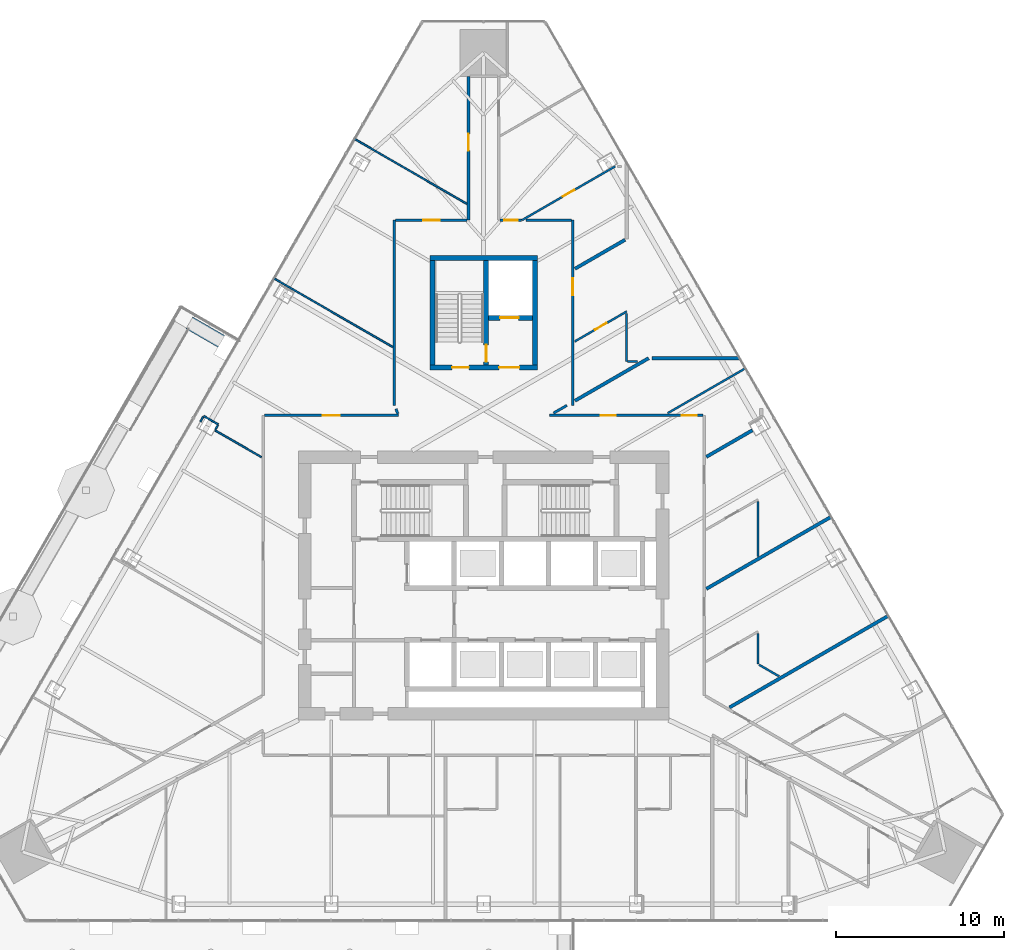
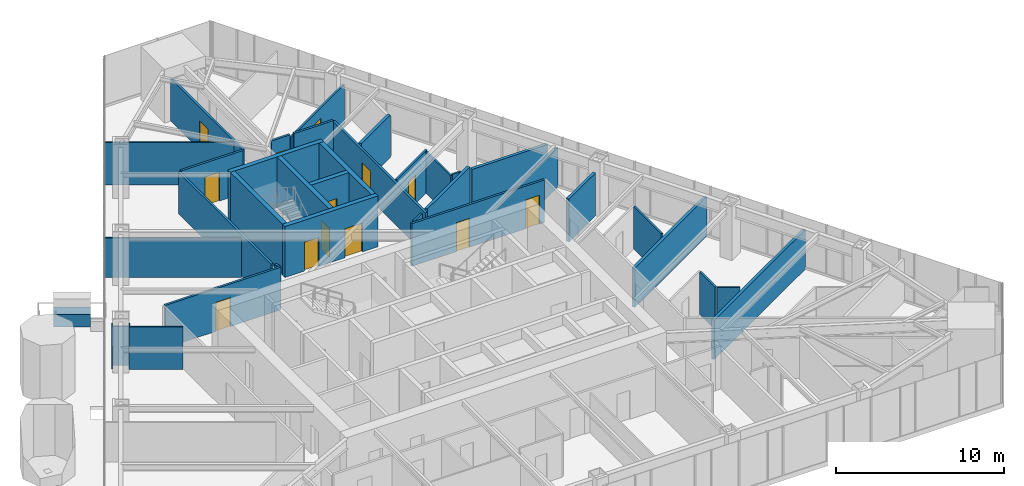
# One storey, part 28 of 32: 37 walls, 13 doors, 13 openings.
"""IFC4 building model written with IfcOpenShell, lengths in metres."""

from ifc_helpers import new_model, si_unit, direction, frame, frame_2d, origin, place, context, subcontext, project, spatial, rectangle, extrude, material, layer, layer_set, type_object, element, fill, save


model = new_model("IFC4")

# Units and contexts
model_context = context("Model", 3, precision=1e-05, world=origin(), true_north=direction((0.0, 1.0)))
body_context = subcontext(model_context, "Body", "Model", "MODEL_VIEW")
ifc_project = project(units=[si_unit("LENGTHUNIT", "METRE"), si_unit("AREAUNIT", "SQUARE_METRE"), si_unit("VOLUMEUNIT", "CUBIC_METRE"), si_unit("PLANEANGLEUNIT", "RADIAN"), si_unit("MASSUNIT", "GRAM", prefix="KILO")], contexts=[model_context])

# Site, building, storey
site_placement = place(None, origin())
site = spatial("IfcSite", under=ifc_project, at=site_placement, CompositionType="ELEMENT")
building_placement = place(site_placement, origin())
building = spatial("IfcBuilding", under=site, at=building_placement, Name="Firuza Gate Tower and Library", CompositionType="ELEMENT")
storey_placement = place(building_placement, frame((0.0, 0.0, 163.60009765625)))
storey = spatial("IfcBuildingStorey", under=building, at=storey_placement, Name="L37", CompositionType="ELEMENT", Elevation=163.60009765625)

# Wall, openings, doors
ifc_material_1 = material(Name="Concrete C80/95", Category="concrete")
ifc_layer_1 = layer(ifc_material_1, 0.300048828125)
ifc_layer_set_1 = layer_set([ifc_layer_1], Name="Core wall 300 C80/95")
wall_type_1 = type_object("IfcWallType", Name="Core wall 300 C80/95", PredefinedType="SHEAR", material=ifc_layer_set_1)
wall_1_placement = place(storey_placement, frame((71.800048828125, 87.949951171875, 0.0), z_axis=(0.0, 0.0, 1.0), x_axis=(1.0, 0.0, 0.0)))
wall_1 = element("IfcWall", 1, at=wall_1_placement, inside=storey, type_object=wall_type_1, Name="Core wall L37 27", PredefinedType="SHEAR", context=body_context, shape_type="SweptSolid", body=[
    extrude(rectangle(XDim=6.39990234375, YDim=0.300048828125, at=frame_2d((3.199951171875, 0.0))), origin(), (0.0, 0.0, 1.0), 3.699951171875),
])
opening_1_placement = place(wall_1_placement, frame((1.324951171875, 0.0, 0.0)))
opening_1 = element("IfcOpeningElement", 2, at=opening_1_placement, cuts=wall_1, Name="Opening L37-K15", PredefinedType="OPENING", context=body_context, shape_type="SweptSolid", body=[
    extrude(rectangle(XDim=1.0, YDim=2.10009765625, at=frame_2d((0.5, 1.050048828125))), frame((0.0, 0.16015625, 0.0), z_axis=(0.0, -1.0, 0.0), x_axis=(1.0, 0.0, 0.0)), (0.0, 0.0, 1.0), 0.320068359375),
])
opening_2_placement = place(wall_1_placement, frame((4.125, 0.0, 0.0)))
opening_2 = element("IfcOpeningElement", 3, at=opening_2_placement, cuts=wall_1, Name="Opening L37-K17", PredefinedType="OPENING", context=body_context, shape_type="SweptSolid", body=[
    extrude(rectangle(XDim=1.199951171875, YDim=2.10009765625, at=frame_2d((0.60009765625, 1.050048828125))), frame((0.0, 0.16015625, 0.0), z_axis=(0.0, -1.0, 0.0), x_axis=(1.0, 0.0, 0.0)), (0.0, 0.0, 1.0), 0.320068359375),
])
ifc_material_2 = material(Name="Steel", Category="steel")
door_type_1 = type_object("IfcDoorType", Name="Fire door 1000x2100 FD90", OperationType="NOTDEFINED", PredefinedType="DOOR", material=ifc_material_2)
door_1_placement = place(opening_1_placement, origin())
door_1 = element("IfcDoor", 4, at=door_1_placement, inside=storey, type_object=door_type_1, Name="Door L37-K15", OperationType="SINGLE_SWING_RIGHT", OverallHeight=2.10009765625, OverallWidth=1.0, PredefinedType="DOOR", context=body_context, shape_type="SweptSolid", body=[
    extrude(rectangle(XDim=1.0, YDim=2.10009765625, at=frame_2d((0.5, 1.050048828125))), frame((0.0, 0.02490234375, 0.0), z_axis=(0.0, -1.0, 0.0), x_axis=(1.0, 0.0, 0.0)), (0.0, 0.0, 1.0), 0.050048828125),
])
fill(opening_1, door_1)
ifc_material_3 = material(Name="Steel", Category="steel")
door_type_2 = type_object("IfcDoorType", Name="Fire door 1200x2100 FD30S", OperationType="NOTDEFINED", PredefinedType="DOOR", material=ifc_material_3)
door_2_placement = place(opening_2_placement, origin())
door_2 = element("IfcDoor", 5, at=door_2_placement, inside=storey, type_object=door_type_2, Name="Door L37-K17", OperationType="SINGLE_SWING_RIGHT", OverallHeight=2.10009765625, OverallWidth=1.199951171875, PredefinedType="DOOR", context=body_context, shape_type="SweptSolid", body=[
    extrude(rectangle(XDim=1.199951171875, YDim=2.10009765625, at=frame_2d((0.60009765625, 1.050048828125))), frame((0.0, 0.02490234375, 0.0), z_axis=(0.0, -1.0, 0.0), x_axis=(1.0, 0.0, 0.0)), (0.0, 0.0, 1.0), 0.050048828125),
])
fill(opening_2, door_2)

# Walls
wall_2_placement = place(storey_placement, frame((71.800048828125, 94.449951171875, 0.0), z_axis=(0.0, 0.0, 1.0), x_axis=(1.0, 0.0, 0.0)))
element("IfcWall", 6, at=wall_2_placement, inside=storey, type_object=wall_type_1, Name="Core wall L37 28", PredefinedType="SHEAR", context=body_context, shape_type="SweptSolid", body=[
    extrude(rectangle(XDim=6.39990234375, YDim=0.300048828125, at=frame_2d((3.199951171875, 0.0))), origin(), (0.0, 0.0, 1.0), 3.699951171875),
])
for number, where, z_axis, x_axis, name in (
    (7, (71.949951171875, 88.10009765625, 0.0), (0.0, 0.0, 1.0), (0.0, 1.0, 0.0), "Core wall L37 29"),
    (8, (78.050048828125, 88.10009765625, 0.0), (0.0, 0.0, 1.0), (0.0, 1.0, 0.0), "Core wall L37 30"),
):
    element("IfcWall", number, at=place(storey_placement, frame(where, z_axis=z_axis, x_axis=x_axis)), inside=storey, type_object=wall_type_1, Name=name, PredefinedType="SHEAR", context=body_context, shape_type="SweptSolid", body=[
        extrude(rectangle(XDim=6.199951171875, YDim=0.300048828125, at=frame_2d((3.10009765625, 0.0))), origin(), (0.0, 0.0, 1.0), 3.699951171875),
    ])

# Wall, opening, door
wall_3_placement = place(storey_placement, frame((75.300048828125, 90.89990234375, 0.0), z_axis=(0.0, 0.0, 1.0), x_axis=(1.0, 0.0, 0.0)))
wall_3 = element("IfcWall", 9, at=wall_3_placement, inside=storey, type_object=wall_type_1, Name="Core wall L37 31", PredefinedType="SHEAR", context=body_context, shape_type="SweptSolid", body=[
    extrude(rectangle(XDim=2.599853515625, YDim=0.300048828125, at=frame_2d((1.2998046875, 0.0))), origin(), (0.0, 0.0, 1.0), 3.699951171875),
])
opening_3_placement = place(wall_3_placement, frame((0.675048828125, 0.0, 0.0)))
opening_3 = element("IfcOpeningElement", 10, at=opening_3_placement, cuts=wall_3, Name="Opening LD-SV1-L37", PredefinedType="OPENING", context=body_context, shape_type="SweptSolid", body=[
    extrude(rectangle(XDim=1.10009765625, YDim=2.10009765625, at=frame_2d((0.550048828125, 1.050048828125))), frame((0.0, 0.16015625, 0.0), z_axis=(0.0, -1.0, 0.0), x_axis=(1.0, 0.0, 0.0)), (0.0, 0.0, 1.0), 0.320068359375),
])
ifc_material_4 = material(Name="Stainless steel", Category="steel")
door_type_3 = type_object("IfcDoorType", Name="Lift landing door 1100x2100", OperationType="DOUBLE_DOOR_SLIDING", PredefinedType="DOOR", material=ifc_material_4)
door_3_placement = place(opening_3_placement, origin())
door_3 = element("IfcDoor", 11, at=door_3_placement, inside=storey, type_object=door_type_3, Name="Landing door SV1 L37", OperationType="DOUBLE_DOOR_SLIDING", OverallHeight=2.10009765625, OverallWidth=1.10009765625, PredefinedType="DOOR", context=body_context, shape_type="SweptSolid", body=[
    extrude(rectangle(XDim=1.10009765625, YDim=2.10009765625, at=frame_2d((0.550048828125, 1.050048828125))), frame((0.0, 0.02490234375, 0.0), z_axis=(0.0, -1.0, 0.0), x_axis=(1.0, 0.0, 0.0)), (0.0, 0.0, 1.0), 0.050048828125),
])
fill(opening_3, door_3)

wall_4_placement = place(storey_placement, frame((75.14990234375, 88.10009765625, 0.0), z_axis=(0.0, 0.0, 1.0), x_axis=(0.0, 1.0, 0.0)))
wall_4 = element("IfcWall", 12, at=wall_4_placement, inside=storey, type_object=wall_type_1, Name="Core wall L37 32", PredefinedType="SHEAR", context=body_context, shape_type="SweptSolid", body=[
    extrude(rectangle(XDim=6.199951171875, YDim=0.300048828125, at=frame_2d((3.10009765625, 0.0))), origin(), (0.0, 0.0, 1.0), 3.699951171875),
])
opening_4_placement = place(wall_4_placement, frame((0.18505859375, 0.0, 0.0)))
opening_4 = element("IfcOpeningElement", 13, at=opening_4_placement, cuts=wall_4, Name="Opening L37-K16", PredefinedType="OPENING", context=body_context, shape_type="SweptSolid", body=[
    extrude(rectangle(XDim=1.0, YDim=2.10009765625, at=frame_2d((0.5, 1.050048828125))), frame((0.0, 0.16015625, 0.0), z_axis=(0.0, -1.0, 0.0), x_axis=(1.0, 0.0, 0.0)), (0.0, 0.0, 1.0), 0.320068359375),
])
door_4_placement = place(opening_4_placement, origin())
door_4 = element("IfcDoor", 14, at=door_4_placement, inside=storey, type_object=door_type_1, Name="Door L37-K16", OperationType="SINGLE_SWING_LEFT", OverallHeight=2.10009765625, OverallWidth=1.0, PredefinedType="DOOR", context=body_context, shape_type="SweptSolid", body=[
    extrude(rectangle(XDim=1.0, YDim=2.10009765625, at=frame_2d((0.5, 1.050048828125))), frame((0.0, 0.02490234375, 0.0), z_axis=(0.0, -1.0, 0.0), x_axis=(1.0, 0.0, 0.0)), (0.0, 0.0, 1.0), 0.050048828125),
])
fill(opening_4, door_4)

ifc_material_5 = material(Name="Gypsum board partition")
ifc_layer_2 = layer(ifc_material_5, 0.14990234375)
ifc_layer_set_2 = layer_set([ifc_layer_2], Name="Corridor wall 150 double board on steel studs")
wall_type_2 = type_object("IfcWallType", Name="Corridor wall 150 double board on steel studs", PredefinedType="PARTITIONING", material=ifc_layer_set_2)
wall_5_placement = place(storey_placement, frame((61.9755859375, 85.10009765625, 0.0), z_axis=(0.0, 0.0, 1.0), x_axis=(1.0, 0.0, 0.0)))
wall_5 = element("IfcWall", 15, at=wall_5_placement, inside=storey, type_object=wall_type_2, Name="f:L37:w009", PredefinedType="PARTITIONING", context=body_context, shape_type="SweptSolid", body=[
    extrude(rectangle(XDim=7.95849609375, YDim=0.14990234375, at=frame_2d((3.979248046875, 0.0))), origin(), (0.0, 0.0, 1.0), 3.099853515625),
])
opening_5_placement = place(wall_5_placement, frame((3.479248046875, 0.0, 0.0)))
opening_5 = element("IfcOpeningElement", 16, at=opening_5_placement, cuts=wall_5, Name="Opening L37-09", PredefinedType="OPENING", context=body_context, shape_type="SweptSolid", body=[
    extrude(rectangle(XDim=1.0, YDim=2.10009765625, at=frame_2d((0.5, 1.050048828125))), frame((0.0, 0.0849609375, 0.0), z_axis=(0.0, -1.0, 0.0), x_axis=(1.0, 0.0, 0.0)), (0.0, 0.0, 1.0), 0.169921875),
])
ifc_material_6 = material(Name="Steel door and timber leaf", Category="steel")
door_type_4 = type_object("IfcDoorType", Name="Fire door 1000 x 2100 steel frame, timber leaf", OperationType="NOTDEFINED", PredefinedType="DOOR", material=ifc_material_6)
door_5_placement = place(opening_5_placement, origin())
door_5 = element("IfcDoor", 17, at=door_5_placement, inside=storey, type_object=door_type_4, Name="f:L37:d009", OperationType="SINGLE_SWING_LEFT", OverallHeight=2.10009765625, OverallWidth=1.0, PredefinedType="DOOR", context=body_context, shape_type="SweptSolid", body=[
    extrude(rectangle(XDim=1.0, YDim=2.10009765625, at=frame_2d((0.5, 1.050048828125))), frame((0.0, 0.02490234375, 0.0), z_axis=(0.0, -1.0, 0.0), x_axis=(1.0, 0.0, 0.0)), (0.0, 0.0, 1.0), 0.050048828125),
])
fill(opening_5, door_5)

# Wall, openings, doors
wall_6_placement = place(storey_placement, frame((78.912841796875, 85.10009765625, 0.0), z_axis=(0.0, 0.0, 1.0), x_axis=(1.0, 0.0, 0.0)))
wall_6 = element("IfcWall", 18, at=wall_6_placement, inside=storey, type_object=wall_type_2, Name="f:L37:w010", PredefinedType="PARTITIONING", context=body_context, shape_type="SweptSolid", body=[
    extrude(rectangle(XDim=9.112060546875, YDim=0.14990234375, at=frame_2d((4.55615234375, 0.0))), origin(), (0.0, 0.0, 1.0), 3.099853515625),
])
opening_6_placement = place(wall_6_placement, frame((3.04833984375, 0.0, 0.0)))
opening_6 = element("IfcOpeningElement", 19, at=opening_6_placement, cuts=wall_6, Name="Opening L37-10", PredefinedType="OPENING", context=body_context, shape_type="SweptSolid", body=[
    extrude(rectangle(XDim=0.89990234375, YDim=2.10009765625, at=frame_2d((0.449951171875, 1.050048828125))), frame((0.0, 0.0849609375, 0.0), z_axis=(0.0, -1.0, 0.0), x_axis=(1.0, 0.0, 0.0)), (0.0, 0.0, 1.0), 0.169921875),
])
opening_7_placement = place(wall_6_placement, frame((7.849853515625, 0.0, 0.0)))
opening_7 = element("IfcOpeningElement", 20, at=opening_7_placement, cuts=wall_6, Name="Opening L37-11", PredefinedType="OPENING", context=body_context, shape_type="SweptSolid", body=[
    extrude(rectangle(XDim=0.89990234375, YDim=2.10009765625, at=frame_2d((0.449951171875, 1.050048828125))), frame((0.0, 0.0849609375, 0.0), z_axis=(0.0, -1.0, 0.0), x_axis=(1.0, 0.0, 0.0)), (0.0, 0.0, 1.0), 0.169921875),
])
ifc_material_7 = material(Name="Steel door and timber leaf", Category="steel")
door_type_5 = type_object("IfcDoorType", Name="Fire door 900 x 2100 steel frame, timber leaf", OperationType="NOTDEFINED", PredefinedType="DOOR", material=ifc_material_7)
door_6_placement = place(opening_6_placement, origin())
door_6 = element("IfcDoor", 21, at=door_6_placement, inside=storey, type_object=door_type_5, Name="f:L37:d010", OperationType="SINGLE_SWING_LEFT", OverallHeight=2.10009765625, OverallWidth=0.89990234375, PredefinedType="DOOR", context=body_context, shape_type="SweptSolid", body=[
    extrude(rectangle(XDim=0.89990234375, YDim=2.10009765625, at=frame_2d((0.449951171875, 1.050048828125))), frame((0.0, 0.02490234375, 0.0), z_axis=(0.0, -1.0, 0.0), x_axis=(1.0, 0.0, 0.0)), (0.0, 0.0, 1.0), 0.050048828125),
])
fill(opening_6, door_6)
door_7_placement = place(opening_7_placement, origin())
door_7 = element("IfcDoor", 22, at=door_7_placement, inside=storey, type_object=door_type_5, Name="f:L37:d011", OperationType="SINGLE_SWING_RIGHT", OverallHeight=2.10009765625, OverallWidth=0.89990234375, PredefinedType="DOOR", context=body_context, shape_type="SweptSolid", body=[
    extrude(rectangle(XDim=0.89990234375, YDim=2.10009765625, at=frame_2d((0.449951171875, 1.050048828125))), frame((0.0, 0.02490234375, 0.0), z_axis=(0.0, -1.0, 0.0), x_axis=(1.0, 0.0, 0.0)), (0.0, 0.0, 1.0), 0.050048828125),
])
fill(opening_7, door_7)

# Wall, opening, door
wall_7_placement = place(storey_placement, frame((74.02490234375, 96.699951171875, 0.0), z_axis=(0.0, 0.0, 1.0), x_axis=(-1.0, 0.0, 0.0)))
wall_7 = element("IfcWall", 23, at=wall_7_placement, inside=storey, type_object=wall_type_2, Name="f:L37:w013", PredefinedType="PARTITIONING", context=body_context, shape_type="SweptSolid", body=[
    extrude(rectangle(XDim=4.24951171875, YDim=0.14990234375, at=frame_2d((2.124755859375, 0.0))), origin(), (0.0, 0.0, 1.0), 3.099853515625),
])
opening_8_placement = place(wall_7_placement, frame((1.624755859375, 0.0, 0.0)))
opening_8 = element("IfcOpeningElement", 24, at=opening_8_placement, cuts=wall_7, Name="Opening L37-12", PredefinedType="OPENING", context=body_context, shape_type="SweptSolid", body=[
    extrude(rectangle(XDim=1.0, YDim=2.10009765625, at=frame_2d((0.5, 1.050048828125))), frame((0.0, 0.0849609375, 0.0), z_axis=(0.0, -1.0, 0.0), x_axis=(1.0, 0.0, 0.0)), (0.0, 0.0, 1.0), 0.169921875),
])
door_8_placement = place(opening_8_placement, origin())
door_8 = element("IfcDoor", 25, at=door_8_placement, inside=storey, type_object=door_type_4, Name="f:L37:d012", OperationType="SINGLE_SWING_LEFT", OverallHeight=2.10009765625, OverallWidth=1.0, PredefinedType="DOOR", context=body_context, shape_type="SweptSolid", body=[
    extrude(rectangle(XDim=1.0, YDim=2.10009765625, at=frame_2d((0.5, 1.050048828125))), frame((0.0, 0.02490234375, 0.0), z_axis=(0.0, -1.0, 0.0), x_axis=(1.0, 0.0, 0.0)), (0.0, 0.0, 1.0), 0.050048828125),
])
fill(opening_8, door_8)

wall_8_placement = place(storey_placement, frame((75.97509765625, 96.699951171875, 0.0), z_axis=(0.0, 0.0, 1.0), x_axis=(1.0, 0.0, 0.0)))
wall_8 = element("IfcWall", 26, at=wall_8_placement, inside=storey, type_object=wall_type_2, Name="f:L37:w014", PredefinedType="PARTITIONING", context=body_context, shape_type="SweptSolid", body=[
    extrude(rectangle(XDim=1.27001953125, YDim=0.14990234375, at=frame_2d((0.635009765625, 0.0))), origin(), (0.0, 0.0, 1.0), 3.099853515625),
])
opening_9_placement = place(wall_8_placement, frame((0.259521484375, 0.0, 0.0)))
opening_9 = element("IfcOpeningElement", 27, at=opening_9_placement, cuts=wall_8, Name="Opening L37-13", PredefinedType="OPENING", context=body_context, shape_type="SweptSolid", body=[
    extrude(rectangle(XDim=0.800048828125, YDim=2.10009765625, at=frame_2d((0.39990234375, 1.050048828125))), frame((0.0, 0.0849609375, 0.0), z_axis=(0.0, -1.0, 0.0), x_axis=(1.0, 0.0, 0.0)), (0.0, 0.0, 1.0), 0.169921875),
])
ifc_material_8 = material(Name="Timber door", Category="wood")
door_type_6 = type_object("IfcDoorType", Name="Door 800 x 2100 timber leaf", OperationType="NOTDEFINED", PredefinedType="DOOR", material=ifc_material_8)
door_9_placement = place(opening_9_placement, origin())
door_9 = element("IfcDoor", 28, at=door_9_placement, inside=storey, type_object=door_type_6, Name="f:L37:d013", OperationType="SINGLE_SWING_RIGHT", OverallHeight=2.10009765625, OverallWidth=0.800048828125, PredefinedType="DOOR", context=body_context, shape_type="SweptSolid", body=[
    extrude(rectangle(XDim=0.800048828125, YDim=2.10009765625, at=frame_2d((0.39990234375, 1.050048828125))), frame((0.0, 0.02490234375, 0.0), z_axis=(0.0, -1.0, 0.0), x_axis=(1.0, 0.0, 0.0)), (0.0, 0.0, 1.0), 0.050048828125),
])
fill(opening_9, door_9)

# Wall
wall_9_placement = place(storey_placement, frame((79.155517578125, 85.23974609375, 0.0), z_axis=(0.0, 0.0, 1.0), x_axis=(0.866013213425, 0.500021113727, 0.0)))
element("IfcWall", 29, at=wall_9_placement, inside=storey, type_object=wall_type_2, Name="f:L37:w030", PredefinedType="PARTITIONING", context=body_context, shape_type="SweptSolid", body=[
    extrude(rectangle(XDim=0.919921875, YDim=0.14990234375, at=frame_2d((0.4599609375, 0.0))), origin(), (0.0, 0.0, 1.0), 3.099853515625),
])

# Wall, opening, door
wall_10_placement = place(storey_placement, frame((80.300048828125, 96.699951171875, 0.0), z_axis=(0.0, 0.0, 1.0), x_axis=(0.0, -1.0, 0.0)))
wall_10 = element("IfcWall", 30, at=wall_10_placement, inside=storey, type_object=wall_type_2, Name="f:L37:w053", PredefinedType="PARTITIONING", context=body_context, shape_type="SweptSolid", body=[
    extrude(rectangle(XDim=11.0, YDim=0.14990234375, at=frame_2d((5.5, 0.0))), origin(), (0.0, 0.0, 1.0), 3.02197265625),
])
opening_10_placement = place(wall_10_placement, frame((3.452392578125, 0.0, 0.0)))
opening_10 = element("IfcOpeningElement", 31, at=opening_10_placement, cuts=wall_10, Name="Opening L37-27", PredefinedType="OPENING", context=body_context, shape_type="SweptSolid", body=[
    extrude(rectangle(XDim=1.0, YDim=2.10009765625, at=frame_2d((0.5, 1.050048828125))), frame((0.0, 0.0849609375, 0.0), z_axis=(0.0, -1.0, 0.0), x_axis=(1.0, 0.0, 0.0)), (0.0, 0.0, 1.0), 0.169921875),
])
door_10_placement = place(opening_10_placement, origin())
door_10 = element("IfcDoor", 32, at=door_10_placement, inside=storey, type_object=door_type_4, Name="f:L37:d027", OperationType="SINGLE_SWING_LEFT", OverallHeight=2.10009765625, OverallWidth=1.0, PredefinedType="DOOR", context=body_context, shape_type="SweptSolid", body=[
    extrude(rectangle(XDim=1.0, YDim=2.10009765625, at=frame_2d((0.5, 1.050048828125))), frame((0.0, 0.02490234375, 0.0), z_axis=(0.0, -1.0, 0.0), x_axis=(1.0, 0.0, 0.0)), (0.0, 0.0, 1.0), 0.050048828125),
])
fill(opening_10, door_10)

wall_11_placement = place(storey_placement, frame((74.10009765625, 96.699951171875, 0.0), z_axis=(0.0, 0.0, 1.0), x_axis=(0.0, 1.0, 0.0)))
wall_11 = element("IfcWall", 33, at=wall_11_placement, inside=storey, type_object=wall_type_2, Name="f:L37:w058", PredefinedType="PARTITIONING", context=body_context, shape_type="SweptSolid", body=[
    extrude(rectangle(XDim=8.5419921875, YDim=0.14990234375, at=frame_2d((4.27099609375, 0.0))), origin(), (0.0, 0.0, 1.0), 3.099853515625),
])
opening_11_placement = place(wall_11_placement, frame((4.126708984375, 0.0, 0.0)))
opening_11 = element("IfcOpeningElement", 34, at=opening_11_placement, cuts=wall_11, Name="Opening L37-29", PredefinedType="OPENING", context=body_context, shape_type="SweptSolid", body=[
    extrude(rectangle(XDim=1.0, YDim=2.10009765625, at=frame_2d((0.5, 1.050048828125))), frame((0.0, 0.0849609375, 0.0), z_axis=(0.0, -1.0, 0.0), x_axis=(1.0, 0.0, 0.0)), (0.0, 0.0, 1.0), 0.169921875),
])
door_11_placement = place(opening_11_placement, origin())
door_11 = element("IfcDoor", 35, at=door_11_placement, inside=storey, type_object=door_type_4, Name="f:L37:d029", OperationType="SINGLE_SWING_LEFT", OverallHeight=2.10009765625, OverallWidth=1.0, PredefinedType="DOOR", context=body_context, shape_type="SweptSolid", body=[
    extrude(rectangle(XDim=1.0, YDim=2.10009765625, at=frame_2d((0.5, 1.050048828125))), frame((0.0, 0.02490234375, 0.0), z_axis=(0.0, -1.0, 0.0), x_axis=(1.0, 0.0, 0.0)), (0.0, 0.0, 1.0), 0.050048828125),
])
fill(opening_11, door_11)

# Walls
wall_12_placement = place(storey_placement, frame((69.699951171875, 85.700439453125, 0.0), z_axis=(0.0, 0.0, 1.0), x_axis=(0.0, 1.0, 0.0)))
element("IfcWall", 36, at=wall_12_placement, inside=storey, type_object=wall_type_2, Name="f:L37:w060", PredefinedType="PARTITIONING", context=body_context, shape_type="SweptSolid", body=[
    extrude(rectangle(XDim=10.9990234375, YDim=0.14990234375, at=frame_2d((5.49951171875, 0.0))), origin(), (0.0, 0.0, 1.0), 3.02197265625),
])
wall_13_placement = place(storey_placement, frame((69.8994140625, 85.200439453125, 0.0), z_axis=(0.0, 0.0, 1.0), x_axis=(-0.33638665492, 0.941723960825, 0.0)))
element("IfcWall", 37, at=wall_13_placement, inside=storey, type_object=wall_type_2, Name="f:L37:w066", PredefinedType="PARTITIONING", context=body_context, shape_type="SweptSolid", body=[
    extrude(rectangle(XDim=0.3076171875, YDim=0.14990234375, at=frame_2d((0.15380859375, 0.0))), origin(), (0.0, 0.0, 1.0), 3.099853515625),
])
wall_14_placement = place(storey_placement, frame((77.525146484375, 96.699951171875, 0.0), z_axis=(0.0, 0.0, 1.0), x_axis=(1.0, 0.0, 0.0)))
element("IfcWall", 38, at=wall_14_placement, inside=storey, type_object=wall_type_2, Name="f:L37:w082", PredefinedType="PARTITIONING", context=body_context, shape_type="SweptSolid", body=[
    extrude(rectangle(XDim=2.699951171875, YDim=0.14990234375, at=frame_2d((1.35009765625, 0.0))), origin(), (0.0, 0.0, 1.0), 3.099853515625),
])
ifc_material_9 = material(Name="Gypsum board partition")
ifc_layer_3 = layer(ifc_material_9, 0.199951171875)
ifc_layer_set_3 = layer_set([ifc_layer_3], Name="Demising wall 200 acoustic double stud")
wall_type_3 = type_object("IfcWallType", Name="Demising wall 200 acoustic double stud", PredefinedType="PARTITIONING", material=ifc_layer_set_3)
wall_15_placement = place(storey_placement, frame((85.003662109375, 88.5, 0.0), z_axis=(0.0, 0.0, 1.0), x_axis=(1.0, 0.0, 0.0)))
element("IfcWall", 39, at=wall_15_placement, inside=storey, type_object=wall_type_3, Name="f:L37:w012", PredefinedType="PARTITIONING", context=body_context, shape_type="SweptSolid", body=[
    extrude(rectangle(XDim=5.179443359375, YDim=0.199951171875, at=frame_2d((2.58984375, 0.0))), origin(), (0.0, 0.0, 1.0), 2.864990234375),
])
wall_16_placement = place(storey_placement, frame((89.60791015625, 67.751953125, 0.0), z_axis=(0.0, 0.0, 1.0), x_axis=(0.86602628359, 0.499998476129, 0.0)))
element("IfcWall", 40, at=wall_16_placement, inside=storey, type_object=wall_type_3, Name="f:L37:w020", PredefinedType="PARTITIONING", context=body_context, shape_type="SweptSolid", body=[
    extrude(rectangle(XDim=10.8720703125, YDim=0.199951171875, at=frame_2d((5.43603515625, 0.0))), origin(), (0.0, 0.0, 1.0), 2.864990234375),
])
wall_17_placement = place(storey_placement, frame((88.227294921875, 74.795166015625, 0.0), z_axis=(0.0, 0.0, 1.0), x_axis=(0.866017652766, 0.500013424917, 0.0)))
element("IfcWall", 41, at=wall_17_placement, inside=storey, type_object=wall_type_3, Name="f:L37:w022", PredefinedType="PARTITIONING", context=body_context, shape_type="SweptSolid", body=[
    extrude(rectangle(XDim=8.546142578125, YDim=0.199951171875, at=frame_2d((4.27294921875, 0.0))), origin(), (0.0, 0.0, 1.0), 2.864990234375),
])
wall_18_placement = place(storey_placement, frame((88.226806640625, 82.63671875, 0.0), z_axis=(0.0, 0.0, 1.0), x_axis=(0.866046892487, 0.499962778628, 0.0)))
element("IfcWall", 42, at=wall_18_placement, inside=storey, type_object=wall_type_3, Name="f:L37:w025", PredefinedType="PARTITIONING", context=body_context, shape_type="SweptSolid", body=[
    extrude(rectangle(XDim=3.165771484375, YDim=0.199951171875, at=frame_2d((1.5830078125, 0.0))), origin(), (0.0, 0.0, 1.0), 3.099853515625),
])
wall_19_placement = place(storey_placement, frame((80.42724609375, 85.973876953125, 0.0), z_axis=(0.0, 0.0, 1.0), x_axis=(0.866031085144, 0.499990159468, 0.0)))
element("IfcWall", 43, at=wall_19_placement, inside=storey, type_object=wall_type_3, Name="f:L37:w031", PredefinedType="PARTITIONING", context=body_context, shape_type="SweptSolid", body=[
    extrude(rectangle(XDim=5.05224609375, YDim=0.199951171875, at=frame_2d((2.526123046875, 0.0))), origin(), (0.0, 0.0, 1.0), 3.099853515625),
])
wall_20_placement = place(storey_placement, frame((80.427001953125, 93.8154296875, 0.0), z_axis=(0.0, 0.0, 1.0), x_axis=(0.866037544249, 0.499978971509, 0.0)))
element("IfcWall", 44, at=wall_20_placement, inside=storey, type_object=wall_type_3, Name="f:L37:w033", PredefinedType="PARTITIONING", context=body_context, shape_type="SweptSolid", body=[
    extrude(rectangle(XDim=3.432861328125, YDim=0.199951171875, at=frame_2d((1.71630859375, 0.0))), origin(), (0.0, 0.0, 1.0), 3.099853515625),
])
ifc_material_10 = material(Name="Gypsum board partition")
ifc_layer_4 = layer(ifc_material_10, 0.10009765625)
ifc_layer_set_4 = layer_set([ifc_layer_4], Name="Partition 100 gypsum board on steel studs")
wall_type_4 = type_object("IfcWallType", Name="Partition 100 gypsum board on steel studs", PredefinedType="PARTITIONING", material=ifc_layer_set_4)
wall_21_placement = place(storey_placement, frame((59.056640625, 84.26318359375, 0.0), z_axis=(0.0, 0.0, 1.0), x_axis=(0.500264001326, 0.865872928886, 0.0)))
element("IfcWall", 45, at=wall_21_placement, inside=storey, type_object=wall_type_4, Name="f:L37:w037", PredefinedType="PARTITIONING", context=body_context, shape_type="SweptSolid", body=[
    extrude(rectangle(XDim=0.299072265625, YDim=0.10009765625, at=frame_2d((0.1494140625, 0.0))), origin(), (0.0, 0.0, 1.0), 3.099853515625),
])
wall_22_placement = place(storey_placement, frame((58.165771484375, 84.719970703125, 0.0), z_axis=(0.0, 0.0, 1.0), x_axis=(0.499601298118, 0.866255472086, 0.0)))
element("IfcWall", 46, at=wall_22_placement, inside=storey, type_object=wall_type_4, Name="f:L37:w038", PredefinedType="PARTITIONING", context=body_context, shape_type="SweptSolid", body=[
    extrude(rectangle(XDim=0.348876953125, YDim=0.10009765625, at=frame_2d((0.17431640625, 0.0))), origin(), (0.0, 0.0, 1.0), 3.099853515625),
])
wall_23_placement = place(storey_placement, frame((73.999267578125, 97.673095703125, 0.0), z_axis=(0.0, 0.0, 1.0), x_axis=(-0.86601864019, 0.500011714706, 0.0)))
element("IfcWall", 47, at=wall_23_placement, inside=storey, type_object=wall_type_4, Name="f:L37:w068", PredefinedType="PARTITIONING", context=body_context, shape_type="SweptSolid", body=[
    extrude(rectangle(XDim=7.695556640625, YDim=0.10009765625, at=frame_2d((3.84765625, 0.0))), origin(), (0.0, 0.0, 1.0), 3.099853515625),
])
wall_24_placement = place(storey_placement, frame((69.598876953125, 89.16552734375, 0.0), z_axis=(0.0, 0.0, 1.0), x_axis=(-0.866026732215, 0.499997699084, 0.0)))
element("IfcWall", 48, at=wall_24_placement, inside=storey, type_object=wall_type_4, Name="f:L37:w069", PredefinedType="PARTITIONING", context=body_context, shape_type="SweptSolid", body=[
    extrude(rectangle(XDim=8.138671875, YDim=0.10009765625, at=frame_2d((4.0693359375, 0.0))), origin(), (0.0, 0.0, 1.0), 2.864990234375),
])
wall_25_placement = place(storey_placement, frame((59.231201171875, 84.566162109375, 0.0), z_axis=(0.0, 0.0, 1.0), x_axis=(-0.866039090965, 0.499976292358, 0.0)))
element("IfcWall", 49, at=wall_25_placement, inside=storey, type_object=wall_type_4, Name="f:L37:w075", PredefinedType="PARTITIONING", context=body_context, shape_type="SweptSolid", body=[
    extrude(rectangle(XDim=0.9990234375, YDim=0.10009765625, at=frame_2d((0.49951171875, 0.0))), origin(), (0.0, 0.0, 1.0), 2.864990234375),
])
wall_26_placement = place(storey_placement, frame((61.799072265625, 82.62158203125, 0.0), z_axis=(0.0, 0.0, 1.0), x_axis=(-0.866015079179, 0.500017882314, 0.0)))
element("IfcWall", 50, at=wall_26_placement, inside=storey, type_object=wall_type_4, Name="f:L37:w076", PredefinedType="PARTITIONING", context=body_context, shape_type="SweptSolid", body=[
    extrude(rectangle(XDim=3.1953125, YDim=0.10009765625, at=frame_2d((1.59765625, 0.0))), origin(), (0.0, 0.0, 1.0), 3.099853515625),
])
ifc_material_11 = material(Name="Concrete C40/50", Category="concrete")
ifc_layer_5 = layer(ifc_material_11, 0.800048828125)
ifc_layer_set_5 = layer_set([ifc_layer_5], Name="Planter wall 800")
wall_type_5 = type_object("IfcWallType", Name="Planter wall 800", PredefinedType="SOLIDWALL", material=ifc_layer_set_5)
wall_27_placement = place(storey_placement, frame((59.422607421875, 89.496826171875, 0.0), z_axis=(0.0, 0.0, 1.0), x_axis=(-0.86605622881, 0.499946605688, 0.0)))
element("IfcWall", 51, at=wall_27_placement, inside=storey, type_object=wall_type_5, Name="PLANTER L37 1", PredefinedType="SOLIDWALL", context=body_context, shape_type="SweptSolid", body=[
    extrude(rectangle(XDim=2.199951171875, YDim=0.800048828125, at=frame_2d((1.10009765625, 0.0))), origin(), (0.0, 0.0, 1.0), 0.89990234375),
])
ifc_material_12 = material(Name="Gypsum board partition")
ifc_layer_6 = layer(ifc_material_12, 0.1201171875)
ifc_layer_set_6 = layer_set([ifc_layer_6], Name="Wet-area partition 120 moisture-resistant board")
wall_type_6 = type_object("IfcWallType", Name="Wet-area partition 120 moisture-resistant board", PredefinedType="PARTITIONING", material=ifc_layer_set_6)
wall_28_placement = place(storey_placement, frame((83.56005859375, 88.300048828125, 0.0), z_axis=(0.0, 0.0, 1.0), x_axis=(1.0, 0.0, 0.0)))
element("IfcWall", 52, at=wall_28_placement, inside=storey, type_object=wall_type_6, Name="f:L37:w011", PredefinedType="PARTITIONING", context=body_context, shape_type="SweptSolid", body=[
    extrude(rectangle(XDim=0.585205078125, YDim=0.1201171875, at=frame_2d((0.29248046875, 0.0))), origin(), (0.0, 0.0, 1.0), 3.099853515625),
])
wall_29_placement = place(storey_placement, frame((85.928466796875, 85.22998046875, 0.0), z_axis=(0.0, 0.0, 1.0), x_axis=(0.866037319036, 0.49997936161, 0.0)))
element("IfcWall", 53, at=wall_29_placement, inside=storey, type_object=wall_type_6, Name="f:L37:w029", PredefinedType="PARTITIONING", context=body_context, shape_type="SweptSolid", body=[
    extrude(rectangle(XDim=5.319580078125, YDim=0.1201171875, at=frame_2d((2.65966796875, 0.0))), origin(), (0.0, 0.0, 1.0), 2.864990234375),
])

# Wall, opening, door
wall_30_placement = place(storey_placement, frame((83.5, 91.27685546875, 0.0), z_axis=(0.0, 0.0, 1.0), x_axis=(-0.866028357664, -0.499994883695, 0.0)))
wall_30 = element("IfcWall", 54, at=wall_30_placement, inside=storey, type_object=wall_type_6, Name="f:L37:w032", PredefinedType="PARTITIONING", context=body_context, shape_type="SweptSolid", body=[
    extrude(rectangle(XDim=3.568359375, YDim=0.1201171875, at=frame_2d((1.7841796875, 0.0))), origin(), (0.0, 0.0, 1.0), 3.099853515625),
])
opening_12_placement = place(wall_30_placement, frame((1.38427734375, 0.0, 0.0)))
opening_12 = element("IfcOpeningElement", 55, at=opening_12_placement, cuts=wall_30, Name="Opening L37-21", PredefinedType="OPENING", context=body_context, shape_type="SweptSolid", body=[
    extrude(rectangle(XDim=0.800048828125, YDim=2.10009765625, at=frame_2d((0.39990234375, 1.050048828125))), frame((0.0, 0.070068359375, 0.0), z_axis=(0.0, -1.0, 0.0), x_axis=(1.0, 0.0, 0.0)), (0.0, 0.0, 1.0), 0.14013671875),
])
door_12_placement = place(opening_12_placement, origin())
door_12 = element("IfcDoor", 56, at=door_12_placement, inside=storey, type_object=door_type_6, Name="f:L37:d021", OperationType="SINGLE_SWING_RIGHT", OverallHeight=2.10009765625, OverallWidth=0.800048828125, PredefinedType="DOOR", context=body_context, shape_type="SweptSolid", body=[
    extrude(rectangle(XDim=0.800048828125, YDim=2.10009765625, at=frame_2d((0.39990234375, 1.050048828125))), frame((0.0, 0.02490234375, 0.0), z_axis=(0.0, -1.0, 0.0), x_axis=(1.0, 0.0, 0.0)), (0.0, 0.0, 1.0), 0.050048828125),
])
fill(opening_12, door_12)

wall_31_placement = place(storey_placement, frame((82.817626953125, 99.89990234375, 0.0), z_axis=(0.0, 0.0, 1.0), x_axis=(-0.866025499775, -0.499999833739, 0.0)))
wall_31 = element("IfcWall", 57, at=wall_31_placement, inside=storey, type_object=wall_type_6, Name="f:L37:w034", PredefinedType="PARTITIONING", context=body_context, shape_type="SweptSolid", body=[
    extrude(rectangle(XDim=6.39990234375, YDim=0.1201171875, at=frame_2d((3.199951171875, 0.0))), origin(), (0.0, 0.0, 1.0), 2.864990234375),
])
opening_13_placement = place(wall_31_placement, frame((2.800048828125, 0.0, 0.0)))
opening_13 = element("IfcOpeningElement", 58, at=opening_13_placement, cuts=wall_31, Name="Opening L37-22", PredefinedType="OPENING", context=body_context, shape_type="SweptSolid", body=[
    extrude(rectangle(XDim=0.800048828125, YDim=2.10009765625, at=frame_2d((0.39990234375, 1.050048828125))), frame((0.0, 0.070068359375, 0.0), z_axis=(0.0, -1.0, 0.0), x_axis=(1.0, 0.0, 0.0)), (0.0, 0.0, 1.0), 0.14013671875),
])
door_13_placement = place(opening_13_placement, origin())
door_13 = element("IfcDoor", 59, at=door_13_placement, inside=storey, type_object=door_type_6, Name="f:L37:d022", OperationType="SINGLE_SWING_RIGHT", OverallHeight=2.10009765625, OverallWidth=0.800048828125, PredefinedType="DOOR", context=body_context, shape_type="SweptSolid", body=[
    extrude(rectangle(XDim=0.800048828125, YDim=2.10009765625, at=frame_2d((0.39990234375, 1.050048828125))), frame((0.0, 0.02490234375, 0.0), z_axis=(0.0, -1.0, 0.0), x_axis=(1.0, 0.0, 0.0)), (0.0, 0.0, 1.0), 0.050048828125),
])
fill(opening_13, door_13)

# Walls
wall_32_placement = place(storey_placement, frame((91.300048828125, 70.323486328125, 0.0), z_axis=(0.0, 0.0, 1.0), x_axis=(0.0, 1.0, 0.0)))
element("IfcWall", 60, at=wall_32_placement, inside=storey, type_object=wall_type_6, Name="f:L37:w043", PredefinedType="PARTITIONING", context=body_context, shape_type="SweptSolid", body=[
    extrude(rectangle(XDim=1.824462890625, YDim=0.1201171875, at=frame_2d((0.912109375, 0.0))), origin(), (0.0, 0.0, 1.0), 3.099853515625),
])
wall_33_placement = place(storey_placement, frame((91.300048828125, 76.725341796875, 0.0), z_axis=(0.0, 0.0, 1.0), x_axis=(0.0, 1.0, 0.0)))
element("IfcWall", 61, at=wall_33_placement, inside=storey, type_object=wall_type_6, Name="f:L37:w044", PredefinedType="PARTITIONING", context=body_context, shape_type="SweptSolid", body=[
    extrude(rectangle(XDim=3.263671875, YDim=0.1201171875, at=frame_2d((1.6318359375, 0.0))), origin(), (0.0, 0.0, 1.0), 3.099853515625),
])
wall_34_placement = place(storey_placement, frame((83.5, 88.300048828125, 0.0), z_axis=(0.0, 0.0, 1.0), x_axis=(0.0, 1.0, 0.0)))
element("IfcWall", 62, at=wall_34_placement, inside=storey, type_object=wall_type_6, Name="f:L37:w051", PredefinedType="PARTITIONING", context=body_context, shape_type="SweptSolid", body=[
    extrude(rectangle(XDim=2.86767578125, YDim=0.1201171875, at=frame_2d((1.433837890625, 0.0))), origin(), (0.0, 0.0, 1.0), 3.02197265625),
])
wall_35_placement = place(storey_placement, frame((92.54638671875, 69.60400390625, 0.0), z_axis=(0.0, 0.0, 1.0), x_axis=(-0.866052025982, 0.499953886166, 0.0)))
element("IfcWall", 63, at=wall_35_placement, inside=storey, type_object=wall_type_6, Name="f:L37:w072", PredefinedType="PARTITIONING", context=body_context, shape_type="SweptSolid", body=[
    extrude(rectangle(XDim=1.369873046875, YDim=0.1201171875, at=frame_2d((0.68505859375, 0.0))), origin(), (0.0, 0.0, 1.0), 3.099853515625),
])

save(model, "model.ifc")
